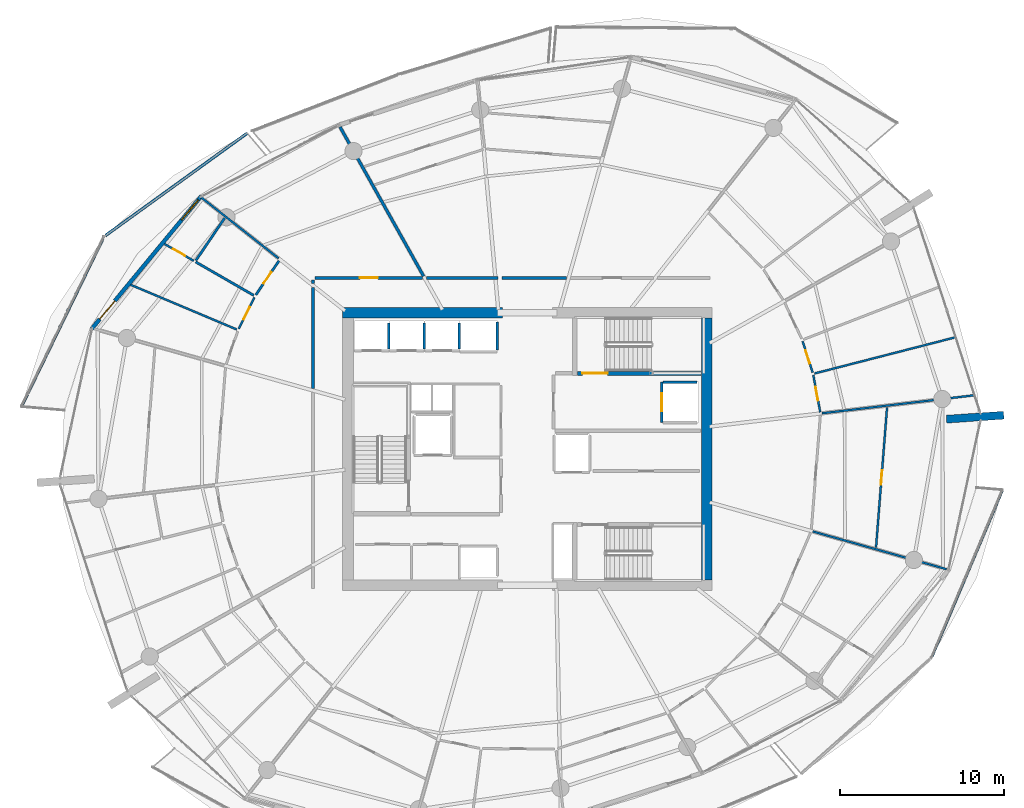
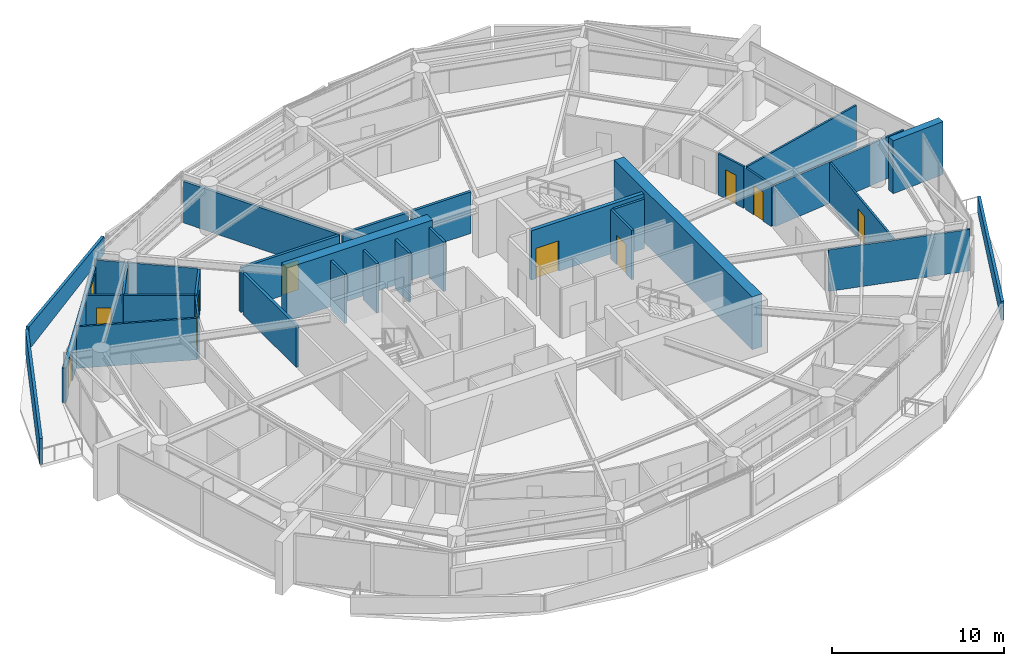
# One storey, part 14 of 21: 33 walls, 10 doors, 1 window, 11 openings.
"""IFC4 building model written with IfcOpenShell, lengths in metres."""

from ifc_helpers import new_model, si_unit, direction, frame, frame_2d, origin, place, context, subcontext, project, spatial, polyline, rectangle, outline, extrude, material, layer, layer_set, type_object, element, fill, save


model = new_model("IFC4")

# Units and contexts
model_context = context("Model", 3, precision=1e-05, world=origin(), true_north=direction((0.0, 1.0)))
body_context = subcontext(model_context, "Body", "Model", "MODEL_VIEW")
ifc_project = project(units=[si_unit("LENGTHUNIT", "METRE"), si_unit("AREAUNIT", "SQUARE_METRE"), si_unit("VOLUMEUNIT", "CUBIC_METRE"), si_unit("PLANEANGLEUNIT", "RADIAN"), si_unit("MASSUNIT", "GRAM", prefix="KILO")], contexts=[model_context])

# Site, building, storey
site_placement = place(None, origin())
site = spatial("IfcSite", under=ifc_project, at=site_placement, CompositionType="ELEMENT")
building_placement = place(site_placement, origin())
building = spatial("IfcBuilding", under=site, at=building_placement, Name="Kazma Halo Residences", CompositionType="ELEMENT")
storey_placement = place(building_placement, frame((0.0, 0.0, 195.300048828125)))
storey = spatial("IfcBuildingStorey", under=building, at=storey_placement, Name="L49", CompositionType="ELEMENT", Elevation=195.300048828125)

# Walls
ifc_material_1 = material(Name="White Concrete C50/60 Balustrade", Category="concrete")
ifc_layer_1 = layer(ifc_material_1, 0.179931640625)
ifc_layer_set_1 = layer_set([ifc_layer_1], Name="White Concrete C50/60 Balustrade")
wall_type_1 = type_object("IfcWallType", Name="WL-BAL-WAVE-180", PredefinedType="PARAPET", material=ifc_layer_set_1)
wall_1_placement = place(storey_placement, frame((31.327880859375, 61.28076171875, 0.0), z_axis=(0.0, 0.0, 1.0), x_axis=(-0.810676817558, -0.585493891919, 0.0)))
element("IfcWall", 1, at=wall_1_placement, inside=storey, type_object=wall_type_1, Name="L49 white wave balustrade wall NW.1", PredefinedType="PARAPET", context=body_context, shape_type="SweptSolid", body=[
    extrude(outline(polyline([(0.0, 0.0), (10.681396484375, 0.0), (10.681396484375, 1.6318359375), (5.3408203125, 1.41796875), (0.0, 1.23291015625), (0.0, 0.0)])), frame((0.0, 0.08984375, 0.0), z_axis=(0.0, -1.0, 0.0), x_axis=(1.0, 0.0, 0.0)), (0.0, 0.0, 1.0), 0.179931640625),
])
wall_2_placement = place(storey_placement, frame((22.518798828125, 54.848388671875, 0.0), z_axis=(0.0, 0.0, 1.0), x_axis=(-0.436714484075, -0.899600166407, 0.0)))
element("IfcWall", 2, at=wall_2_placement, inside=storey, type_object=wall_type_1, Name="L49 white wave balustrade wall NW.2", PredefinedType="PARAPET", context=body_context, shape_type="SweptSolid", body=[
    extrude(outline(polyline([(0.0, 0.0), (11.408935546875, 0.0), (11.4091796875, 1.85986328125), (5.70458984375, 1.7978515625), (0.0, 1.6318359375), (0.0, 0.0)])), frame((0.0, 0.08984375, 0.0), z_axis=(0.0, -1.0, 0.0), x_axis=(1.0, 0.0, 0.0)), (0.0, 0.0, 1.0), 0.179931640625),
])
wall_3_placement = place(storey_placement, frame((73.120849609375, 29.334716796875, 0.0), z_axis=(0.0, 0.0, 1.0), x_axis=(0.390001304333, 0.920814304091, 0.0)))
element("IfcWall", 3, at=wall_3_placement, inside=storey, type_object=wall_type_1, Name="L49 white wave balustrade wall SE.2", PredefinedType="PARAPET", context=body_context, shape_type="SweptSolid", body=[
    extrude(outline(polyline([(0.0, 0.0), (11.042724609375, 0.0), (11.04296875, 1.119873046875), (5.521484375, 1.181884765625), (0.0, 1.347900390625), (0.0, 0.0)])), frame((0.0, 0.08984375, 0.0), z_axis=(0.0, -1.0, 0.0), x_axis=(1.0, 0.0, 0.0)), (0.0, 0.0, 1.0), 0.179931640625),
])
ifc_material_2 = material(Name="Pale Concrete C60/75", Category="concrete")
ifc_layer_2 = layer(ifc_material_2, 0.47998046875)
ifc_layer_set_2 = layer_set([ifc_layer_2], Name="Pale Concrete C60/75")
wall_type_2 = type_object("IfcWallType", Name="WL-BLADE-480", PredefinedType="SOLIDWALL", material=ifc_layer_set_2)
wall_4_placement = place(storey_placement, frame((74.0126953125, 43.819091796875, 0.0), z_axis=(0.0, 0.0, 1.0), x_axis=(0.997568676264, 0.069690287244, 0.0)))
element("IfcWall", 4, at=wall_4_placement, inside=storey, type_object=wall_type_2, Name="L49 pale concrete structural blade fin wall BW-04", PredefinedType="SOLIDWALL", context=body_context, shape_type="SweptSolid", body=[
    extrude(rectangle(XDim=3.499755859375, YDim=0.47998046875, at=frame_2d((1.75, 0.0))), origin(), (0.0, 0.0, 1.0), 3.75),
])
ifc_material_3 = material(Name="Concrete C60/75", Category="concrete")
ifc_layer_3 = layer(ifc_material_3, 0.64990234375)
ifc_layer_set_3 = layer_set([ifc_layer_3], Name="Concrete C60/75")
wall_type_3 = type_object("IfcWallType", Name="WL-CORE-650", PredefinedType="SHEAR", material=ifc_layer_set_3)
wall_5_placement = place(storey_placement, frame((37.14990234375, 50.324951171875, 0.0), z_axis=(0.0, 0.0, 1.0), x_axis=(1.0, 0.0, 0.0)))
element("IfcWall", 5, at=wall_5_placement, inside=storey, type_object=wall_type_3, Name="L49 central core shear wall NW", PredefinedType="SHEAR", context=body_context, shape_type="SweptSolid", body=[
    extrude(rectangle(XDim=9.75, YDim=0.64990234375, at=frame_2d((4.875, 0.0))), origin(), (0.0, 0.0, 1.0), 3.75),
])
wall_6_placement = place(storey_placement, frame((59.375, 34.0, 0.0), z_axis=(0.0, 0.0, 1.0), x_axis=(0.0, 1.0, 0.0)))
element("IfcWall", 6, at=wall_6_placement, inside=storey, type_object=wall_type_3, Name="L49 central core shear wall E", PredefinedType="SHEAR", context=body_context, shape_type="SweptSolid", body=[
    extrude(rectangle(XDim=16.0, YDim=0.64990234375, at=frame_2d((8.0, 0.0))), origin(), (0.0, 0.0, 1.0), 3.75),
])
ifc_material_4 = material(Name="Acoustic Twin-Stud Gypsum")
ifc_layer_4 = layer(ifc_material_4, 0.179931640625)
ifc_layer_set_4 = layer_set([ifc_layer_4], Name="Acoustic Twin-Stud Gypsum")
wall_type_4 = type_object("IfcWallType", Name="WL-DEM-180", PredefinedType="PARTITIONING", material=ifc_layer_set_4)
wall_7_placement = place(storey_placement, frame((42.093994140625, 52.5458984375, 0.0), z_axis=(0.0, 0.0, 1.0), x_axis=(-0.488614041717, 0.872500039104, 0.0)))
element("IfcWall", 7, at=wall_7_placement, inside=storey, type_object=wall_type_4, Name="L49 apartment demising radial wall 04", PredefinedType="PARTITIONING", context=body_context, shape_type="SweptSolid", body=[
    extrude(rectangle(XDim=10.448486328125, YDim=0.179931640625, at=frame_2d((5.22412109375, 0.0))), origin(), (0.0, 0.0, 1.0), 2.93994140625),
])

# Wall, opening, door
wall_8_placement = place(storey_placement, frame((42.027587890625, 52.449951171875, 0.0), z_axis=(0.0, 0.0, 1.0), x_axis=(-1.0, 0.0, 0.0)))
wall_8 = element("IfcWall", 8, at=wall_8_placement, inside=storey, type_object=wall_type_4, Name="L49 Apartment 1 entrance corridor wall", PredefinedType="PARTITIONING", context=body_context, shape_type="SweptSolid", body=[
    extrude(rectangle(XDim=6.5576171875, YDim=0.179931640625, at=frame_2d((3.27880859375, 0.0))), origin(), (0.0, 0.0, 1.0), 2.93994140625),
])
opening_1_placement = place(wall_8_placement, frame((2.72900390625, 0.0, 0.0)))
opening_1 = element("IfcOpeningElement", 9, at=opening_1_placement, cuts=wall_8, Name="Opening DA-1100", PredefinedType="OPENING", context=body_context, shape_type="SweptSolid", body=[
    extrude(rectangle(XDim=1.10009765625, YDim=2.10009765625, at=frame_2d((0.550048828125, 1.050048828125))), frame((0.0, 0.099853515625, 0.0), z_axis=(0.0, -1.0, 0.0), x_axis=(1.0, 0.0, 0.0)), (0.0, 0.0, 1.0), 0.199951171875),
])
ifc_material_5 = material(Name="Acoustic Walnut Fire Leaf")
door_type_1 = type_object("IfcDoorType", Name="DR-FD60-1100", OperationType="NOTDEFINED", PredefinedType="DOOR", material=ifc_material_5)
door_1_placement = place(opening_1_placement, origin())
door_1 = element("IfcDoor", 10, at=door_1_placement, inside=storey, type_object=door_type_1, Name="L49 Apartment 1 entrance fire door", OperationType="SINGLE_SWING_LEFT", OverallHeight=2.10009765625, OverallWidth=1.10009765625, PredefinedType="DOOR", context=body_context, shape_type="SweptSolid", body=[
    extrude(rectangle(XDim=1.10009765625, YDim=2.10009765625, at=frame_2d((0.550048828125, 1.050048828125))), frame((0.0, 0.02490234375, 0.0), z_axis=(0.0, -1.0, 0.0), x_axis=(1.0, 0.0, 0.0)), (0.0, 0.0, 1.0), 0.050048828125),
])
fill(opening_1, door_1)

# Walls
wall_9_placement = place(storey_placement, frame((35.35009765625, 52.330078125, 0.0), z_axis=(0.0, 0.0, 1.0), x_axis=(0.0, -1.0, 0.0)))
element("IfcWall", 11, at=wall_9_placement, inside=storey, type_object=wall_type_4, Name="L49 Apartment 1 entrance corridor wall", PredefinedType="PARTITIONING", context=body_context, shape_type="SweptSolid", body=[
    extrude(rectangle(XDim=0.237548828125, YDim=0.179931640625, at=frame_2d((0.11865234375, 0.0))), origin(), (0.0, 0.0, 1.0), 2.93994140625),
])
wall_10_placement = place(storey_placement, frame((35.35009765625, 51.8525390625, 0.0), z_axis=(0.0, 0.0, 1.0), x_axis=(0.0, -1.0, 0.0)))
element("IfcWall", 12, at=wall_10_placement, inside=storey, type_object=wall_type_4, Name="L49 Apartment 1 inner wall 5", PredefinedType="PARTITIONING", context=body_context, shape_type="SweptSolid", body=[
    extrude(rectangle(XDim=6.164794921875, YDim=0.179931640625, at=frame_2d((3.08251953125, 0.0))), origin(), (0.0, 0.0, 1.0), 2.93994140625),
])
wall_11_placement = place(storey_placement, frame((50.8271484375, 52.449951171875, 0.0), z_axis=(0.0, 0.0, 1.0), x_axis=(-1.0, 0.0, 0.0)))
element("IfcWall", 13, at=wall_11_placement, inside=storey, type_object=wall_type_4, Name="L49 Apartment 2 inner wall 2", PredefinedType="PARTITIONING", context=body_context, shape_type="SweptSolid", body=[
    extrude(rectangle(XDim=3.94384765625, YDim=0.179931640625, at=frame_2d((1.971923828125, 0.0))), origin(), (0.0, 0.0, 1.0), 2.93994140625),
])
wall_12_placement = place(storey_placement, frame((46.643310546875, 52.449951171875, 0.0), z_axis=(0.0, 0.0, 1.0), x_axis=(-1.0, 0.0, 0.0)))
element("IfcWall", 14, at=wall_12_placement, inside=storey, type_object=wall_type_4, Name="L49 Apartment 2 inner wall 3", PredefinedType="PARTITIONING", context=body_context, shape_type="SweptSolid", body=[
    extrude(rectangle(XDim=4.375732421875, YDim=0.179931640625, at=frame_2d((2.18798828125, 0.0))), origin(), (0.0, 0.0, 1.0), 2.93994140625),
])

# Wall, openings, door, window
ifc_material_6 = material(Name="Insulated Pale-Metal Composite Wall")
ifc_layer_5 = layer(ifc_material_6, 0.239990234375)
ifc_layer_set_5 = layer_set([ifc_layer_5], Name="Insulated Pale-Metal Composite Wall")
wall_type_5 = type_object("IfcWallType", Name="WL-EXT-HOST-240", PredefinedType="SOLIDWALL", material=ifc_layer_set_5)
wall_13_placement = place(storey_placement, frame((28.514892578125, 57.42431640625, 0.0), z_axis=(0.0, 0.0, 1.0), x_axis=(-0.636759394418, -0.771062561418, 0.0)))
wall_13 = element("IfcWall", 15, at=wall_13_placement, inside=storey, type_object=wall_type_5, Name="L49 exterior terrace-access wall B06", PredefinedType="SOLIDWALL", context=body_context, shape_type="SweptSolid", body=[
    extrude(rectangle(XDim=10.494384765625, YDim=0.239990234375, at=frame_2d((5.2470703125, 0.0))), origin(), (0.0, 0.0, 1.0), 2.449951171875),
])
opening_2_placement = place(wall_13_placement, frame((8.2744140625, 0.0, 0.0)))
opening_2 = element("IfcOpeningElement", 16, at=opening_2_placement, cuts=wall_13, Name="Opening DTR-1600", PredefinedType="OPENING", context=body_context, shape_type="SweptSolid", body=[
    extrude(rectangle(XDim=1.449951171875, YDim=2.14990234375, at=frame_2d((0.72509765625, 1.074951171875))), frame((0.0, 0.1298828125, 0.0), z_axis=(0.0, -1.0, 0.0), x_axis=(1.0, 0.0, 0.0)), (0.0, 0.0, 1.0), 0.260009765625),
])
opening_3_placement = place(wall_13_placement, frame((0.280029296875, 0.0, 0.64990234375)))
opening_3 = element("IfcOpeningElement", 17, at=opening_3_placement, cuts=wall_13, Name="Opening W-1800", PredefinedType="OPENING", context=body_context, shape_type="SweptSolid", body=[
    extrude(rectangle(XDim=1.60009765625, YDim=1.5, at=frame_2d((0.800048828125, 0.75))), frame((0.0, 0.1298828125, 0.0), z_axis=(0.0, -1.0, 0.0), x_axis=(1.0, 0.0, 0.0)), (0.0, 0.0, 1.0), 0.260009765625),
])
ifc_material_7 = material(Name="Aluminium AW-6063 T6 Double-Glazed Terrace Door", Category="aluminium")
door_type_2 = type_object("IfcDoorType", Name="DR-EXT-TERR-1600", OperationType="NOTDEFINED", PredefinedType="DOOR", material=ifc_material_7)
door_2_placement = place(opening_2_placement, origin())
door_2 = element("IfcDoor", 18, at=door_2_placement, inside=storey, type_object=door_type_2, Name="L49 B06 balcony terrace door", OperationType="DOUBLE_DOOR_SLIDING", OverallHeight=2.14990234375, OverallWidth=1.449951171875, PredefinedType="DOOR", context=body_context, shape_type="SweptSolid", body=[
    extrude(rectangle(XDim=1.449951171875, YDim=2.14990234375, at=frame_2d((0.72509765625, 1.074951171875))), frame((0.0, 0.02490234375, 0.0), z_axis=(0.0, -1.0, 0.0), x_axis=(1.0, 0.0, 0.0)), (0.0, 0.0, 1.0), 0.050048828125),
])
fill(opening_2, door_2)
ifc_material_8 = material(Name="Clear Triple-Silver Low-E Glass in Aluminium AW-6063 T6 Frame", Category="aluminium")
window_type = type_object("IfcWindowType", Name="WIN-RES-1800", PartitioningType="DOUBLE_PANEL_VERTICAL", PredefinedType="WINDOW", material=ifc_material_8)
window_placement = place(opening_3_placement, origin())
window = element("IfcWindow", 19, at=window_placement, inside=storey, type_object=window_type, Name="L49 B06 apartment window", OverallHeight=1.5, OverallWidth=1.60009765625, PartitioningType="SINGLE_PANEL", PredefinedType="WINDOW", context=body_context, shape_type="SweptSolid", body=[
    extrude(rectangle(XDim=1.60009765625, YDim=1.5, at=frame_2d((0.800048828125, 0.75))), frame((0.0, 0.030029296875, 0.0), z_axis=(0.0, -1.0, 0.0), x_axis=(1.0, 0.0, 0.0)), (0.0, 0.0, 1.0), 0.06005859375),
])
fill(opening_3, window)

# Walls
ifc_material_9 = material(Name="Fire-Rated Blockwork Masonry", Category="masonry")
ifc_layer_6 = layer(ifc_material_9, 0.199951171875)
ifc_layer_set_6 = layer_set([ifc_layer_6], Name="Fire-Rated Blockwork Masonry")
wall_type_6 = type_object("IfcWallType", Name="WL-FLB-200", PredefinedType="PARTITIONING", material=ifc_layer_set_6)
for number, where, z_axis, x_axis, name in (
    (20, (39.97509765625, 48.094970703125, 0.0), (0.0, 0.0, 1.0), (0.0, 1.0, 0.0), "L49 lift shaft PM-01 side wall E"),
    (21, (42.125, 48.094970703125, 0.0), (0.0, 0.0, 1.0), (0.0, 1.0, 0.0), "L49 lift shaft PM-02 side wall E"),
    (22, (44.27490234375, 48.094970703125, 0.0), (0.0, 0.0, 1.0), (0.0, 1.0, 0.0), "L49 lift shaft PM-03 side wall E"),
):
    element("IfcWall", number, at=place(storey_placement, frame(where, z_axis=z_axis, x_axis=x_axis)), inside=storey, type_object=wall_type_6, Name=name, PredefinedType="PARTITIONING", context=body_context, shape_type="SweptSolid", body=[
        extrude(rectangle(XDim=1.610107421875, YDim=0.159912109375, at=frame_2d((0.80517578125, 0.0))), origin(), (0.0, 0.0, 1.0), 3.5),
    ])
wall_14_placement = place(storey_placement, frame((46.580078125, 48.044921875, 0.0), z_axis=(0.0, 0.0, 1.0), x_axis=(0.0, 1.0, 0.0)))
element("IfcWall", 23, at=wall_14_placement, inside=storey, type_object=wall_type_6, Name="L49 lift shaft PX-01 side wall E", PredefinedType="PARTITIONING", context=body_context, shape_type="SweptSolid", body=[
    extrude(rectangle(XDim=1.7099609375, YDim=0.159912109375, at=frame_2d((0.85498046875, 0.0))), origin(), (0.0, 0.0, 1.0), 3.5),
])

# Wall, opening, door
wall_15_placement = place(storey_placement, frame((56.6201171875, 46.080078125, 0.0), z_axis=(0.0, 0.0, 1.0), x_axis=(0.0, -1.0, 0.0)))
wall_15 = element("IfcWall", 24, at=wall_15_placement, inside=storey, type_object=wall_type_6, Name="L49 lift shaft FL-02 front wall", PredefinedType="PARTITIONING", context=body_context, shape_type="SweptSolid", body=[
    extrude(rectangle(XDim=2.4599609375, YDim=0.159912109375, at=frame_2d((1.22998046875, 0.0))), origin(), (0.0, 0.0, 1.0), 3.5),
])
opening_4_placement = place(wall_15_placement, frame((0.679931640625, 0.0, 0.0)))
opening_4 = element("IfcOpeningElement", 25, at=opening_4_placement, cuts=wall_15, Name="Opening LD-FL-02", PredefinedType="OPENING", context=body_context, shape_type="SweptSolid", body=[
    extrude(rectangle(XDim=1.10009765625, YDim=2.10009765625, at=frame_2d((0.550048828125, 1.050048828125))), frame((0.0, 0.08984375, 0.0), z_axis=(0.0, -1.0, 0.0), x_axis=(1.0, 0.0, 0.0)), (0.0, 0.0, 1.0), 0.179931640625),
])
ifc_material_10 = material(Name="Stainless Steel Fire-Rated", Category="steel")
door_type_3 = type_object("IfcDoorType", Name="DR-LIFT-SLD-1100", OperationType="DOUBLE_DOOR_SLIDING", PredefinedType="DOOR", material=ifc_material_10)
door_3_placement = place(opening_4_placement, origin())
door_3 = element("IfcDoor", 26, at=door_3_placement, inside=storey, type_object=door_type_3, Name="L49 lift FL-02 sliding landing door", OperationType="DOUBLE_DOOR_SLIDING", OverallHeight=2.10009765625, OverallWidth=1.10009765625, PredefinedType="DOOR", context=body_context, shape_type="SweptSolid", body=[
    extrude(rectangle(XDim=1.10009765625, YDim=2.10009765625, at=frame_2d((0.550048828125, 1.050048828125))), frame((0.0, 0.02490234375, 0.0), z_axis=(0.0, -1.0, 0.0), x_axis=(1.0, 0.0, 0.0)), (0.0, 0.0, 1.0), 0.050048828125),
])
fill(opening_4, door_3)

# Walls
wall_16_placement = place(storey_placement, frame((56.719970703125, 46.080078125, 0.0), z_axis=(0.0, 0.0, 1.0), x_axis=(1.0, 0.0, 0.0)))
element("IfcWall", 27, at=wall_16_placement, inside=storey, type_object=wall_type_6, Name="L49 lift shaft FL-02 side wall N", PredefinedType="PARTITIONING", context=body_context, shape_type="SweptSolid", body=[
    extrude(rectangle(XDim=2.06005859375, YDim=0.159912109375, at=frame_2d((1.030029296875, 0.0))), origin(), (0.0, 0.0, 1.0), 3.5),
])
ifc_material_11 = material(Name="Gypsum Plasterboard Partition")
ifc_layer_7 = layer(ifc_material_11, 0.125)
ifc_layer_set_7 = layer_set([ifc_layer_7], Name="Gypsum Plasterboard Partition")
wall_type_7 = type_object("IfcWallType", Name="WL-PART-125", PredefinedType="PARTITIONING", material=ifc_layer_set_7)
wall_17_placement = place(storey_placement, frame((33.24072265625, 53.63525390625, 0.0), z_axis=(0.0, 0.0, 1.0), x_axis=(-0.785321754625, 0.619087830371, 0.0)))
element("IfcWall", 28, at=wall_17_placement, inside=storey, type_object=wall_type_7, Name="L49 Apartment 1 radial partition 5", PredefinedType="PARTITIONING", context=body_context, shape_type="SweptSolid", body=[
    extrude(rectangle(XDim=6.033203125, YDim=0.125, at=frame_2d((3.0166015625, 0.0))), origin(), (0.0, 0.0, 1.0), 2.93994140625),
])

# Wall, opening, door
wall_18_placement = place(storey_placement, frame((28.0673828125, 53.483642578125, 0.0), z_axis=(0.0, 0.0, 1.0), x_axis=(-0.866444666734, 0.49927311112, 0.0)))
wall_18 = element("IfcWall", 29, at=wall_18_placement, inside=storey, type_object=wall_type_7, Name="L49 Apartment 1 Utility Laundry Room partition wall", PredefinedType="PARTITIONING", context=body_context, shape_type="SweptSolid", body=[
    extrude(rectangle(XDim=2.06982421875, YDim=0.125, at=frame_2d((1.034912109375, 0.0))), origin(), (0.0, 0.0, 1.0), 2.93994140625),
])
opening_5_placement = place(wall_18_placement, frame((0.60986328125, 0.0, 0.0)))
opening_5 = element("IfcOpeningElement", 30, at=opening_5_placement, cuts=wall_18, Name="Opening DB-900", PredefinedType="OPENING", context=body_context, shape_type="SweptSolid", body=[
    extrude(rectangle(XDim=0.85009765625, YDim=2.06005859375, at=frame_2d((0.425048828125, 1.030029296875))), frame((0.0, 0.072509765625, 0.0), z_axis=(0.0, -1.0, 0.0), x_axis=(1.0, 0.0, 0.0)), (0.0, 0.0, 1.0), 0.14501953125),
])
ifc_material_12 = material(Name="Moisture-Sealed Timber Leaf", Category="wood")
door_type_4 = type_object("IfcDoorType", Name="DR-BTH-900", OperationType="NOTDEFINED", PredefinedType="DOOR", material=ifc_material_12)
door_4_placement = place(opening_5_placement, origin())
door_4 = element("IfcDoor", 31, at=door_4_placement, inside=storey, type_object=door_type_4, Name="L49 Apartment 1 Utility Laundry Room door", OperationType="SINGLE_SWING_RIGHT", OverallHeight=2.06005859375, OverallWidth=0.85009765625, PredefinedType="DOOR", context=body_context, shape_type="SweptSolid", body=[
    extrude(rectangle(XDim=0.85009765625, YDim=2.06005859375, at=frame_2d((0.425048828125, 1.030029296875))), frame((0.0, 0.02490234375, 0.0), z_axis=(0.0, -1.0, 0.0), x_axis=(1.0, 0.0, 0.0)), (0.0, 0.0, 1.0), 0.050048828125),
])
fill(opening_5, door_4)

# Wall
wall_19_placement = place(storey_placement, frame((30.68994140625, 49.293701171875, 0.0), z_axis=(0.0, 0.0, 1.0), x_axis=(-0.921527492378, 0.388313122095, 0.0)))
element("IfcWall", 32, at=wall_19_placement, inside=storey, type_object=wall_type_7, Name="L49 Apartment 1 suite divider 5", PredefinedType="PARTITIONING", context=body_context, shape_type="SweptSolid", body=[
    extrude(rectangle(XDim=7.031005859375, YDim=0.125, at=frame_2d((3.515625, 0.0))), origin(), (0.0, 0.0, 1.0), 2.93994140625),
])

# Wall, opening, door
wall_20_placement = place(storey_placement, frame((31.761962890625, 51.251708984375, 0.0), z_axis=(0.0, 0.0, 1.0), x_axis=(-0.444525075821, -0.89576640759, 0.0)))
wall_20 = element("IfcWall", 33, at=wall_20_placement, inside=storey, type_object=wall_type_7, Name="L49 Apartment 1 Gourmet Kitchen hall wall", PredefinedType="PARTITIONING", context=body_context, shape_type="SweptSolid", body=[
    extrude(rectangle(XDim=2.144775390625, YDim=0.125, at=frame_2d((1.072265625, 0.0))), origin(), (0.0, 0.0, 1.0), 2.93994140625),
])
opening_6_placement = place(wall_20_placement, frame((0.647216796875, 0.0, 0.0)))
opening_6 = element("IfcOpeningElement", 34, at=opening_6_placement, cuts=wall_20, Name="Opening DB-900", PredefinedType="OPENING", context=body_context, shape_type="SweptSolid", body=[
    extrude(rectangle(XDim=0.85009765625, YDim=2.06005859375, at=frame_2d((0.425048828125, 1.030029296875))), frame((0.0, 0.072509765625, 0.0), z_axis=(0.0, -1.0, 0.0), x_axis=(1.0, 0.0, 0.0)), (0.0, 0.0, 1.0), 0.14501953125),
])
door_5_placement = place(opening_6_placement, origin())
door_5 = element("IfcDoor", 35, at=door_5_placement, inside=storey, type_object=door_type_4, Name="L49 Apartment 1 Gourmet Kitchen door", OperationType="SINGLE_SWING_LEFT", OverallHeight=2.06005859375, OverallWidth=0.85009765625, PredefinedType="DOOR", context=body_context, shape_type="SweptSolid", body=[
    extrude(rectangle(XDim=0.85009765625, YDim=2.06005859375, at=frame_2d((0.425048828125, 1.030029296875))), frame((0.0, 0.02490234375, 0.0), z_axis=(0.0, -1.0, 0.0), x_axis=(1.0, 0.0, 0.0)), (0.0, 0.0, 1.0), 0.050048828125),
])
fill(opening_6, door_5)

# Wall
wall_21_placement = place(storey_placement, frame((65.8505859375, 36.965576171875, 0.0), z_axis=(0.0, 0.0, 1.0), x_axis=(0.962454495696, -0.271443076381, 0.0)))
element("IfcWall", 36, at=wall_21_placement, inside=storey, type_object=wall_type_7, Name="L49 Apartment 2 radial partition 14", PredefinedType="PARTITIONING", context=body_context, shape_type="SweptSolid", body=[
    extrude(rectangle(XDim=8.4833984375, YDim=0.125, at=frame_2d((4.24169921875, 0.0))), origin(), (0.0, 0.0, 1.0), 2.93994140625),
])

# Wall, opening, door
wall_22_placement = place(storey_placement, frame((69.708984375, 35.989501953125, 0.0), z_axis=(0.0, 0.0, 1.0), x_axis=(0.078474694613, 0.996916105951, 0.0)))
wall_22 = element("IfcWall", 37, at=wall_22_placement, inside=storey, type_object=wall_type_7, Name="L49 Apartment 2 East Master Bedroom divider wall", PredefinedType="PARTITIONING", context=body_context, shape_type="SweptSolid", body=[
    extrude(rectangle(XDim=8.5771484375, YDim=0.125, at=frame_2d((4.28857421875, 0.0))), origin(), (0.0, 0.0, 1.0), 2.93994140625),
])
opening_7_placement = place(wall_22_placement, frame((3.838623046875, 0.0, 0.0)))
opening_7 = element("IfcOpeningElement", 38, at=opening_7_placement, cuts=wall_22, Name="Opening DI-950", PredefinedType="OPENING", context=body_context, shape_type="SweptSolid", body=[
    extrude(rectangle(XDim=0.89990234375, YDim=2.080078125, at=frame_2d((0.449951171875, 1.0400390625))), frame((0.0, 0.072509765625, 0.0), z_axis=(0.0, -1.0, 0.0), x_axis=(1.0, 0.0, 0.0)), (0.0, 0.0, 1.0), 0.14501953125),
])
ifc_material_13 = material(Name="Timber Veneer Flush Leaf", Category="wood")
door_type_5 = type_object("IfcDoorType", Name="DR-INT-950", OperationType="NOTDEFINED", PredefinedType="DOOR", material=ifc_material_13)
door_6_placement = place(opening_7_placement, origin())
door_6 = element("IfcDoor", 39, at=door_6_placement, inside=storey, type_object=door_type_5, Name="L49 Apartment 2 East Master Bedroom door", OperationType="SINGLE_SWING_LEFT", OverallHeight=2.080078125, OverallWidth=0.89990234375, PredefinedType="DOOR", context=body_context, shape_type="SweptSolid", body=[
    extrude(rectangle(XDim=0.89990234375, YDim=2.080078125, at=frame_2d((0.449951171875, 1.0400390625))), frame((0.0, 0.02490234375, 0.0), z_axis=(0.0, -1.0, 0.0), x_axis=(1.0, 0.0, 0.0)), (0.0, 0.0, 1.0), 0.050048828125),
])
fill(opening_7, door_6)

# Walls
wall_23_placement = place(storey_placement, frame((66.41845703125, 44.179931640625, 0.0), z_axis=(0.0, 0.0, 1.0), x_axis=(0.993067101384, 0.117548850055, 0.0)))
element("IfcWall", 40, at=wall_23_placement, inside=storey, type_object=wall_type_7, Name="L49 Apartment 2 radial partition 15", PredefinedType="PARTITIONING", context=body_context, shape_type="SweptSolid", body=[
    extrude(rectangle(XDim=9.34814453125, YDim=0.125, at=frame_2d((4.674072265625, 0.0))), origin(), (0.0, 0.0, 1.0), 2.93994140625),
])
wall_24_placement = place(storey_placement, frame((65.95458984375, 46.610107421875, 0.0), z_axis=(0.0, 0.0, 1.0), x_axis=(0.968584232606, 0.248685713997, 0.0)))
element("IfcWall", 41, at=wall_24_placement, inside=storey, type_object=wall_type_7, Name="L49 Apartment 2 bay wall 1 15", PredefinedType="PARTITIONING", context=body_context, shape_type="SweptSolid", body=[
    extrude(rectangle(XDim=8.875732421875, YDim=0.125, at=frame_2d((4.43798828125, 0.0))), origin(), (0.0, 0.0, 1.0), 2.93994140625),
])

# Wall, opening, door
wall_25_placement = place(storey_placement, frame((66.304443359375, 44.246826171875, 0.0), z_axis=(0.0, 0.0, 1.0), x_axis=(-0.183532651905, 0.983013614191, 0.0)))
wall_25 = element("IfcWall", 42, at=wall_25_placement, inside=storey, type_object=wall_type_7, Name="L49 Apartment 2 South Bedroom hall wall", PredefinedType="PARTITIONING", context=body_context, shape_type="SweptSolid", body=[
    extrude(rectangle(XDim=2.30126953125, YDim=0.125, at=frame_2d((1.150634765625, 0.0))), origin(), (0.0, 0.0, 1.0), 2.93994140625),
])
opening_8_placement = place(wall_25_placement, frame((0.7255859375, 0.0, 0.0)))
opening_8 = element("IfcOpeningElement", 43, at=opening_8_placement, cuts=wall_25, Name="Opening DB-900", PredefinedType="OPENING", context=body_context, shape_type="SweptSolid", body=[
    extrude(rectangle(XDim=0.85009765625, YDim=2.06005859375, at=frame_2d((0.425048828125, 1.030029296875))), frame((0.0, 0.072509765625, 0.0), z_axis=(0.0, -1.0, 0.0), x_axis=(1.0, 0.0, 0.0)), (0.0, 0.0, 1.0), 0.14501953125),
])
door_7_placement = place(opening_8_placement, origin())
door_7 = element("IfcDoor", 44, at=door_7_placement, inside=storey, type_object=door_type_4, Name="L49 Apartment 2 South Bedroom door", OperationType="SINGLE_SWING_RIGHT", OverallHeight=2.06005859375, OverallWidth=0.85009765625, PredefinedType="DOOR", context=body_context, shape_type="SweptSolid", body=[
    extrude(rectangle(XDim=0.85009765625, YDim=2.06005859375, at=frame_2d((0.425048828125, 1.030029296875))), frame((0.0, 0.02490234375, 0.0), z_axis=(0.0, -1.0, 0.0), x_axis=(1.0, 0.0, 0.0)), (0.0, 0.0, 1.0), 0.050048828125),
])
fill(opening_8, door_7)

wall_26_placement = place(storey_placement, frame((65.843017578125, 46.663818359375, 0.0), z_axis=(0.0, 0.0, 1.0), x_axis=(-0.305321673033, 0.952249271975, 0.0)))
wall_26 = element("IfcWall", 45, at=wall_26_placement, inside=storey, type_object=wall_type_7, Name="L49 Apartment 2 Inner Study hall wall", PredefinedType="PARTITIONING", context=body_context, shape_type="SweptSolid", body=[
    extrude(rectangle(XDim=2.01171875, YDim=0.125, at=frame_2d((1.005859375, 0.0))), origin(), (0.0, 0.0, 1.0), 2.93994140625),
])
opening_9_placement = place(wall_26_placement, frame((0.5810546875, 0.0, 0.0)))
opening_9 = element("IfcOpeningElement", 46, at=opening_9_placement, cuts=wall_26, Name="Opening DB-900", PredefinedType="OPENING", context=body_context, shape_type="SweptSolid", body=[
    extrude(rectangle(XDim=0.85009765625, YDim=2.06005859375, at=frame_2d((0.425048828125, 1.030029296875))), frame((0.0, 0.072509765625, 0.0), z_axis=(0.0, -1.0, 0.0), x_axis=(1.0, 0.0, 0.0)), (0.0, 0.0, 1.0), 0.14501953125),
])
door_8_placement = place(opening_9_placement, origin())
door_8 = element("IfcDoor", 47, at=door_8_placement, inside=storey, type_object=door_type_4, Name="L49 Apartment 2 Inner Study door", OperationType="SINGLE_SWING_LEFT", OverallHeight=2.06005859375, OverallWidth=0.85009765625, PredefinedType="DOOR", context=body_context, shape_type="SweptSolid", body=[
    extrude(rectangle(XDim=0.85009765625, YDim=2.06005859375, at=frame_2d((0.425048828125, 1.030029296875))), frame((0.0, 0.02490234375, 0.0), z_axis=(0.0, -1.0, 0.0), x_axis=(1.0, 0.0, 0.0)), (0.0, 0.0, 1.0), 0.050048828125),
])
fill(opening_9, door_8)

ifc_material_14 = material(Name="Concrete C50/60", Category="concrete")
ifc_layer_8 = layer(ifc_material_14, 0.25)
ifc_layer_set_8 = layer_set([ifc_layer_8], Name="Concrete C50/60")
wall_type_8 = type_object("IfcWallType", Name="WL-SHF-250", PredefinedType="SOLIDWALL", material=ifc_layer_set_8)
wall_27_placement = place(storey_placement, frame((51.47998046875, 46.6201171875, 0.0), z_axis=(0.0, 0.0, 1.0), x_axis=(1.0, 0.0, 0.0)))
wall_27 = element("IfcWall", 48, at=wall_27_placement, inside=storey, type_object=wall_type_8, Name="L49 exit stair ST-02 enclosure wall", PredefinedType="SOLIDWALL", context=body_context, shape_type="SweptSolid", body=[
    extrude(rectangle(XDim=7.5400390625, YDim=0.25, at=frame_2d((3.77001953125, 0.0))), origin(), (0.0, 0.0, 1.0), 3.5),
])
opening_10_placement = place(wall_27_placement, frame((0.300048828125, 0.0, 0.0)))
opening_10 = element("IfcOpeningElement", 49, at=opening_10_placement, cuts=wall_27, Name="Opening D-ST2", PredefinedType="OPENING", context=body_context, shape_type="SweptSolid", body=[
    extrude(rectangle(XDim=1.550048828125, YDim=2.14990234375, at=frame_2d((0.77490234375, 1.074951171875))), frame((0.0, 0.135009765625, 0.0), z_axis=(0.0, -1.0, 0.0), x_axis=(1.0, 0.0, 0.0)), (0.0, 0.0, 1.0), 0.27001953125),
])
ifc_material_15 = material(Name="Fire-Rated Double Steel Leaf", Category="steel")
door_type_6 = type_object("IfcDoorType", Name="DR-FD90-1550", OperationType="NOTDEFINED", PredefinedType="DOOR", material=ifc_material_15)
door_9_placement = place(opening_10_placement, origin())
door_9 = element("IfcDoor", 50, at=door_9_placement, inside=storey, type_object=door_type_6, Name="L49 exit stair ST-02 fire door", OperationType="DOUBLE_DOOR_SINGLE_SWING", OverallHeight=2.14990234375, OverallWidth=1.550048828125, PredefinedType="DOOR", context=body_context, shape_type="SweptSolid", body=[
    extrude(rectangle(XDim=1.550048828125, YDim=2.14990234375, at=frame_2d((0.77490234375, 1.074951171875))), frame((0.0, 0.02490234375, 0.0), z_axis=(0.0, -1.0, 0.0), x_axis=(1.0, 0.0, 0.0)), (0.0, 0.0, 1.0), 0.050048828125),
])
fill(opening_10, door_9)

ifc_material_16 = material(Name="Moisture-Resistant Gypsum")
ifc_layer_9 = layer(ifc_material_16, 0.14990234375)
ifc_layer_set_9 = layer_set([ifc_layer_9], Name="Moisture-Resistant Gypsum")
wall_type_9 = type_object("IfcWallType", Name="WL-WET-150", PredefinedType="PARTITIONING", material=ifc_layer_set_9)
wall_28_placement = place(storey_placement, frame((33.26318359375, 53.490478515625, 0.0), z_axis=(0.0, 0.0, 1.0), x_axis=(-0.560597119889, -0.828088684364, 0.0)))
wall_28 = element("IfcWall", 51, at=wall_28_placement, inside=storey, type_object=wall_type_9, Name="L49 Apartment 1 Guest Bathroom hall wall", PredefinedType="PARTITIONING", context=body_context, shape_type="SweptSolid", body=[
    extrude(rectangle(XDim=2.516357421875, YDim=0.14990234375, at=frame_2d((1.25830078125, 0.0))), origin(), (0.0, 0.0, 1.0), 2.93994140625),
])
opening_11_placement = place(wall_28_placement, frame((0.833251953125, 0.0, 0.0)))
opening_11 = element("IfcOpeningElement", 52, at=opening_11_placement, cuts=wall_28, Name="Opening DB-900", PredefinedType="OPENING", context=body_context, shape_type="SweptSolid", body=[
    extrude(rectangle(XDim=0.85009765625, YDim=2.06005859375, at=frame_2d((0.425048828125, 1.030029296875))), frame((0.0, 0.0849609375, 0.0), z_axis=(0.0, -1.0, 0.0), x_axis=(1.0, 0.0, 0.0)), (0.0, 0.0, 1.0), 0.169921875),
])
door_10_placement = place(opening_11_placement, origin())
door_10 = element("IfcDoor", 53, at=door_10_placement, inside=storey, type_object=door_type_4, Name="L49 Apartment 1 Guest Bathroom door", OperationType="SINGLE_SWING_LEFT", OverallHeight=2.06005859375, OverallWidth=0.85009765625, PredefinedType="DOOR", context=body_context, shape_type="SweptSolid", body=[
    extrude(rectangle(XDim=0.85009765625, YDim=2.06005859375, at=frame_2d((0.425048828125, 1.030029296875))), frame((0.0, 0.02490234375, 0.0), z_axis=(0.0, -1.0, 0.0), x_axis=(1.0, 0.0, 0.0)), (0.0, 0.0, 1.0), 0.050048828125),
])
fill(opening_11, door_10)

# Walls
wall_29_placement = place(storey_placement, frame((29.94921875, 56.10302734375, 0.0), z_axis=(0.0, 0.0, 1.0), x_axis=(-0.560630647655, -0.828065985843, 0.0)))
element("IfcWall", 54, at=wall_29_placement, inside=storey, type_object=wall_type_9, Name="L49 Apartment 1 Guest Bathroom back wall", PredefinedType="PARTITIONING", context=body_context, shape_type="SweptSolid", body=[
    extrude(rectangle(XDim=3.127685546875, YDim=0.14990234375, at=frame_2d((1.56396484375, 0.0))), origin(), (0.0, 0.0, 1.0), 2.93994140625),
])
wall_30_placement = place(storey_placement, frame((31.72412109375, 51.377197265625, 0.0), z_axis=(0.0, 0.0, 1.0), x_axis=(-0.866511364258, 0.499157345545, 0.0)))
element("IfcWall", 55, at=wall_30_placement, inside=storey, type_object=wall_type_9, Name="L49 Apartment 1 Guest Bathroom side wall", PredefinedType="PARTITIONING", context=body_context, shape_type="SweptSolid", body=[
    extrude(rectangle(XDim=4.08984375, YDim=0.14990234375, at=frame_2d((2.044921875, 0.0))), origin(), (0.0, 0.0, 1.0), 2.93994140625),
])

save(model, "model.ifc")
